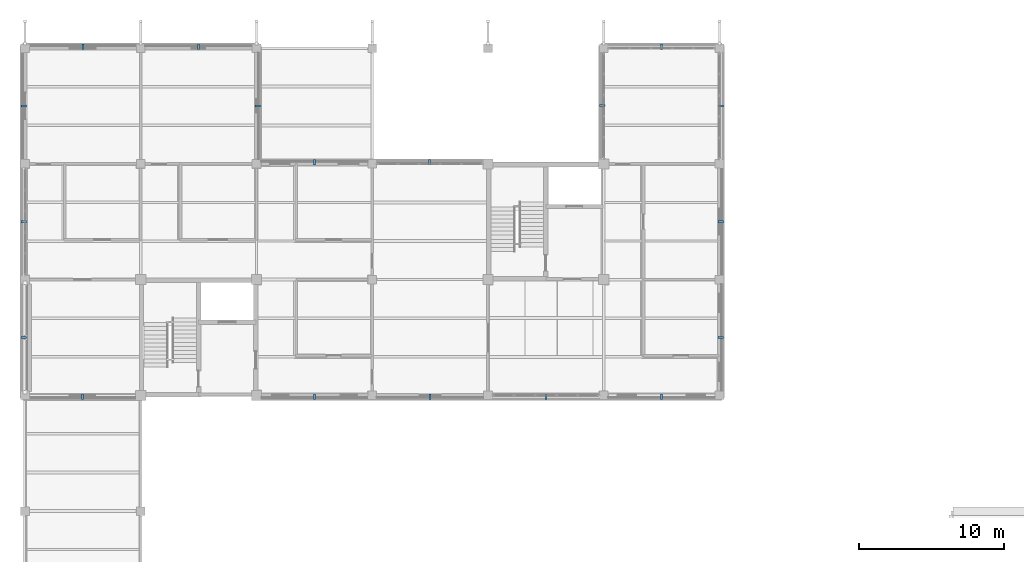
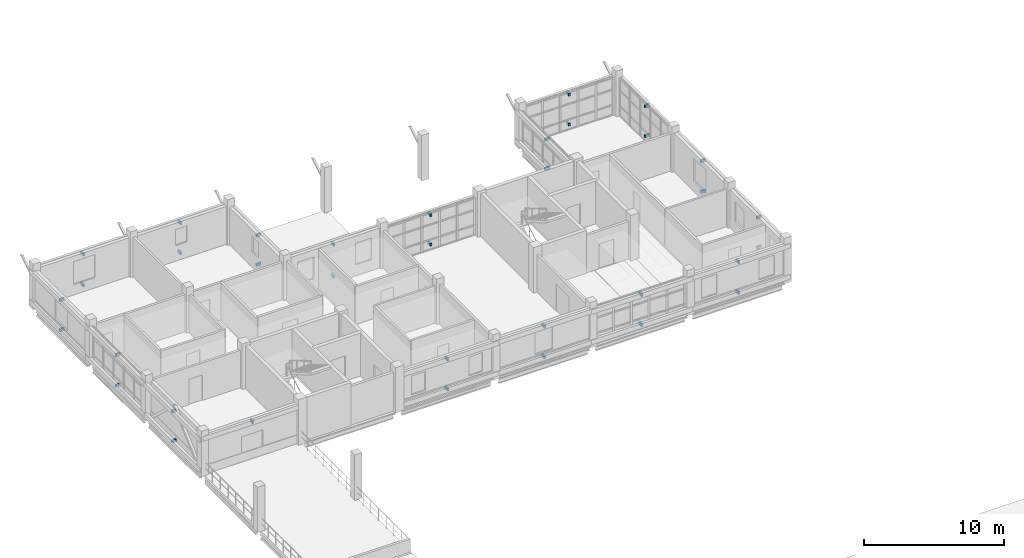
# One storey, part 30 of 35: 35 discrete accessories.
"""IFC4 building model written with IfcOpenShell, lengths in metres."""

from ifc_helpers import new_model, si_unit, derived_unit, direction, frame, origin, origin_2d, place, context, subcontext, project, spatial, rectangle, extrude, material, type_object, element, save


model = new_model("IFC4")

# Units and contexts
model_context = context("Model", 3, precision=1e-05, world=origin(), true_north=direction((0.0, 1.0)))
body_context = subcontext(model_context, "Body", "Model", "MODEL_VIEW")
ifc_project = project(units=[si_unit("LENGTHUNIT", "METRE"), si_unit("AREAUNIT", "SQUARE_METRE"), si_unit("VOLUMEUNIT", "CUBIC_METRE"), si_unit("PLANEANGLEUNIT", "RADIAN"), si_unit("MASSUNIT", "GRAM", prefix="KILO"), derived_unit("THERMALTRANSMITTANCEUNIT", [(si_unit("MASSUNIT", "GRAM", prefix="KILO"), 1), (si_unit("TIMEUNIT", "SECOND"), -3), (si_unit("THERMODYNAMICTEMPERATUREUNIT", "KELVIN"), -1)])], contexts=[model_context])

# Site, building, storey
site_placement = place(None, origin())
site = spatial("IfcSite", under=ifc_project, at=site_placement, CompositionType="ELEMENT")
building_placement = place(site_placement, origin())
building = spatial("IfcBuilding", under=site, at=building_placement, Name="Veyamyaing Civic Hall", CompositionType="ELEMENT")
storey_placement = place(building_placement, frame((0.0, 0.0, 21.780029296875)))
storey = spatial("IfcBuildingStorey", under=building, at=storey_placement, Name="L05", CompositionType="ELEMENT", Elevation=21.780029296875)

# Discrete accessories
ifc_material = material(Name="Steel S355J2", Category="steel")
discrete_accessory_type = type_object("IfcDiscreteAccessoryType", Name="BK-01", PredefinedType="BRACKET", material=ifc_material)
for number, where, z_axis, x_axis, name in (
    (1, (3.97509765625, 87.89990234375, 3.1240234375), (0.0, 0.0, 1.0), (0.0, -1.0, 0.0), "Sunshade anchor bracket BK-01 L05 S 1.12"),
    (2, (-0.10009765625, 92.0, 2.96484375), (0.0, 0.0, 1.0), (-1.0, 0.0, 0.0), "Sunshade anchor bracket BK-01 L05 W 1.12"),
    (3, (-0.10009765625, 92.0, 0.35986328125), (0.0, 0.0, 1.0), (-1.0, 0.0, 0.0), "Lower ribbon anchor bracket BK-01 L05 W 1.12"),
    (4, (-0.10009765625, 100.0, 3.02880859375), (0.0, 0.0, 1.0), (-1.0, 0.0, 0.0), "Sunshade anchor bracket BK-01 L05 W 1.13"),
    (5, (-0.10009765625, 100.0, 0.35986328125), (0.0, 0.0, 1.0), (-1.0, 0.0, 0.0), "Lower ribbon anchor bracket BK-01 L05 W 1.13"),
    (6, (4.0, 112.10009765625, 3.03173828125), (0.0, 0.0, 1.0), (0.0, 1.0, 0.0), "Sunshade anchor bracket BK-01 L05 N 1.14"),
    (7, (4.0, 112.10009765625, 0.35986328125), (0.0, 0.0, 1.0), (0.0, 1.0, 0.0), "Lower ribbon anchor bracket BK-01 L05 N 1.14"),
    (8, (-0.10009765625, 108.0, 2.96875), (0.0, 0.0, 1.0), (-1.0, 0.0, 0.0), "Sunshade anchor bracket BK-01 L05 W 1.14"),
    (9, (-0.10009765625, 108.0, 0.35986328125), (0.0, 0.0, 1.0), (-1.0, 0.0, 0.0), "Lower ribbon anchor bracket BK-01 L05 W 1.14"),
    (10, (12.0, 112.10009765625, 2.96484375), (0.0, 0.0, 1.0), (0.0, 1.0, 0.0), "Sunshade anchor bracket BK-01 L05 N 2.14"),
    (11, (12.0, 112.10009765625, 0.35986328125), (0.0, 0.0, 1.0), (0.0, 1.0, 0.0), "Lower ribbon anchor bracket BK-01 L05 N 2.14"),
    (12, (16.10009765625, 108.0, 2.9189453125), (0.0, 0.0, 1.0), (1.0, 0.0, 0.0), "Sunshade anchor bracket BK-01 L05 E 2.14"),
    (13, (16.10009765625, 108.0, 0.35986328125), (0.0, 0.0, 1.0), (1.0, 0.0, 0.0), "Lower ribbon anchor bracket BK-01 L05 E 2.14"),
    (14, (20.02490234375, 87.89990234375, 2.96875), (0.0, 0.0, 1.0), (0.0, -1.0, 0.0), "Sunshade anchor bracket BK-01 L05 S 3.12"),
    (15, (20.02490234375, 87.89990234375, 0.35986328125), (0.0, 0.0, 1.0), (0.0, -1.0, 0.0), "Lower ribbon anchor bracket BK-01 L05 S 3.12"),
    (16, (20.0, 104.10009765625, 3.12890625), (0.0, 0.0, 1.0), (0.0, 1.0, 0.0), "Sunshade anchor bracket BK-01 L05 N 3.13"),
    (17, (20.0, 104.10009765625, 0.35986328125), (0.0, 0.0, 1.0), (0.0, 1.0, 0.0), "Lower ribbon anchor bracket BK-01 L05 N 3.13"),
    (18, (28.0, 87.89990234375, 3.03173828125), (0.0, 0.0, 1.0), (0.0, -1.0, 0.0), "Sunshade anchor bracket BK-01 L05 S 4.12"),
    (19, (28.0, 87.89990234375, 0.35986328125), (0.0, 0.0, 1.0), (0.0, -1.0, 0.0), "Lower ribbon anchor bracket BK-01 L05 S 4.12"),
    (20, (27.97509765625, 104.10009765625, 2.923828125), (0.0, 0.0, 1.0), (0.0, 1.0, 0.0), "Sunshade anchor bracket BK-01 L05 N 4.13"),
    (21, (27.97509765625, 104.10009765625, 0.35986328125), (0.0, 0.0, 1.0), (0.0, 1.0, 0.0), "Lower ribbon anchor bracket BK-01 L05 N 4.13"),
    (22, (36.0, 87.89990234375, 2.96484375), (0.0, 0.0, 1.0), (0.0, -1.0, 0.0), "Sunshade anchor bracket BK-01 L05 S 5.12"),
    (23, (36.0, 87.89990234375, 0.35986328125), (0.0, 0.0, 1.0), (0.0, -1.0, 0.0), "Lower ribbon anchor bracket BK-01 L05 S 5.12"),
    (24, (44.0, 87.89990234375, 3.02880859375), (0.0, 0.0, 1.0), (0.0, -1.0, 0.0), "Sunshade anchor bracket BK-01 L05 S 6.12"),
    (25, (44.0, 87.89990234375, 0.35986328125), (0.0, 0.0, 1.0), (0.0, -1.0, 0.0), "Lower ribbon anchor bracket BK-01 L05 S 6.12"),
    (26, (48.10009765625, 92.0, 2.96875), (0.0, 0.0, 1.0), (1.0, 0.0, 0.0), "Sunshade anchor bracket BK-01 L05 E 6.12"),
    (27, (48.10009765625, 92.0, 0.35986328125), (0.0, 0.0, 1.0), (1.0, 0.0, 0.0), "Lower ribbon anchor bracket BK-01 L05 E 6.12"),
    (28, (48.10009765625, 100.0, 3.03173828125), (0.0, 0.0, 1.0), (1.0, 0.0, 0.0), "Sunshade anchor bracket BK-01 L05 E 6.13"),
    (29, (48.10009765625, 100.0, 0.35986328125), (0.0, 0.0, 1.0), (1.0, 0.0, 0.0), "Lower ribbon anchor bracket BK-01 L05 E 6.13"),
    (30, (44.0, 112.10009765625, 2.96484375), (0.0, 0.0, 1.0), (0.0, 1.0, 0.0), "Sunshade anchor bracket BK-01 L05 N 6.14"),
    (31, (44.0, 112.10009765625, 0.35986328125), (0.0, 0.0, 1.0), (0.0, 1.0, 0.0), "Lower ribbon anchor bracket BK-01 L05 N 6.14"),
    (32, (39.89990234375, 108.02490234375, 2.9189453125), (0.0, 0.0, 1.0), (-1.0, 0.0, 0.0), "Sunshade anchor bracket BK-01 L05 W 6.14"),
    (33, (39.89990234375, 108.02490234375, 0.35986328125), (0.0, 0.0, 1.0), (-1.0, 0.0, 0.0), "Lower ribbon anchor bracket BK-01 L05 W 6.14"),
    (34, (48.10009765625, 108.0, 2.96484375), (0.0, 0.0, 1.0), (1.0, 0.0, 0.0), "Sunshade anchor bracket BK-01 L05 E 6.14"),
    (35, (48.10009765625, 108.0, 0.35986328125), (0.0, 0.0, 1.0), (1.0, 0.0, 0.0), "Lower ribbon anchor bracket BK-01 L05 E 6.14"),
):
    element("IfcDiscreteAccessory", number, at=place(storey_placement, frame(where, z_axis=z_axis, x_axis=x_axis)), inside=storey, type_object=discrete_accessory_type, Name=name, PredefinedType="BRACKET", context=body_context, shape_type="SweptSolid", body=[
        extrude(rectangle(XDim=0.3798828125, YDim=0.139892578125, at=origin_2d()), origin(), (0.0, 0.0, 1.0), 0.239990234375),
    ])

save(model, "model.ifc")
